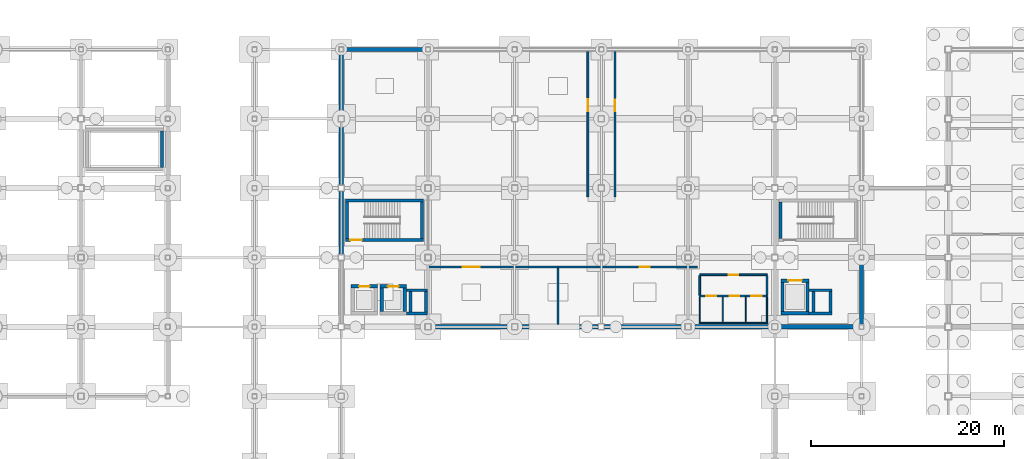
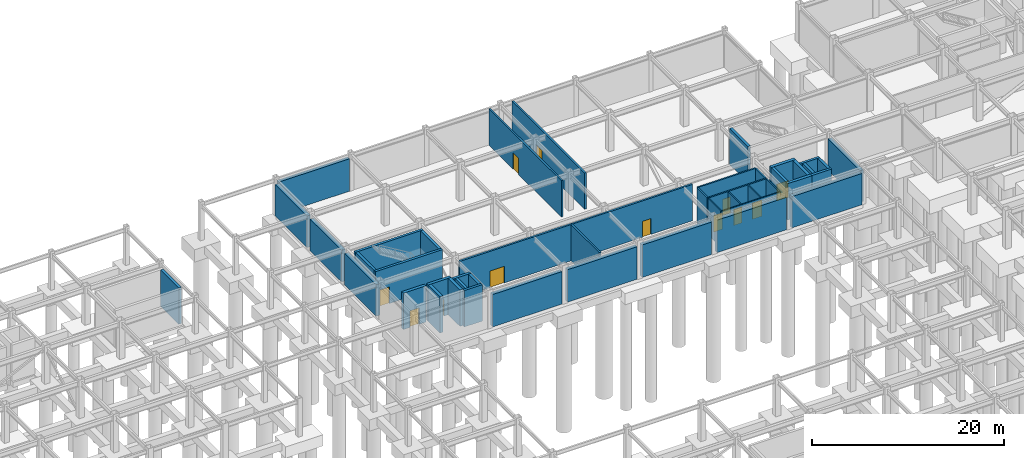
# One storey, part 22 of 28: 46 walls, 12 doors, 12 openings.
"""IFC4 building model written with IfcOpenShell, lengths in metres."""

import ifcopenshell
import ifcopenshell.guid

model = None  # the IFC model being written
_history = None  # IfcOwnerHistory: only IFC2X3 demands one
_inside = {}  # id of a spatial element -> (the spatial element, [elements in it])
_under = {}  # id of a project, library or spatial element -> (it, [spatial elements below it])
_declared = {}  # id of a project -> (the project, [libraries it declares])
_typed = {}  # id of a type object -> (the type object, [elements of that type])
_made_of = {}  # id of a material, layer set ... -> (it, [elements and type objects made of it])


def new_model(schema):
    """Start an empty IFC model of exactly this schema.

    Asked for "IFC4X3", IfcOpenShell would pick the latest addendum, in which some entities
    have other attributes; the version numbers below select the first issue.
    IFC2X3 requires an IfcOwnerHistory on every rooted entity: one is made here for all.
    """
    global model, _history
    if schema == "IFC4X3":
        model = ifcopenshell.file(schema_version=(4, 3, 0, 0))
    else:
        model = ifcopenshell.file(schema=schema)
    _inside.clear()
    _under.clear()
    _declared.clear()
    _typed.clear()
    _made_of.clear()
    _history = None
    if model.schema == "IFC2X3":
        org = make("IfcOrganization", Name="unknown")
        user = make(
            "IfcPersonAndOrganization",
            ThePerson=make("IfcPerson", FamilyName="unknown"),
            TheOrganization=org,
        )
        app = make(
            "IfcApplication",
            ApplicationDeveloper=org,
            Version="unknown",
            ApplicationFullName="unknown",
            ApplicationIdentifier="unknown",
        )
        _history = make(
            "IfcOwnerHistory",
            OwningUser=user,
            OwningApplication=app,
            ChangeAction="ADDED",
            CreationDate=0,
        )
    return model


def make(cls, **values):
    """One entity of the class cls with the attributes given. An attribute that is None is left unset."""
    return model.create_entity(
        cls, **{name: value for name, value in values.items() if value is not None}
    )


def rooted(cls, **values):
    """An entity with a GlobalId (a new one), such as an element, a storey or a relation."""
    return make(cls, GlobalId=ifcopenshell.guid.new(), OwnerHistory=_history, **values)


def si_unit(unit_type, name, prefix=None):
    """IfcSIUnit, for example si_unit("LENGTHUNIT", "METRE", prefix="MILLI")."""
    return make("IfcSIUnit", UnitType=unit_type, Prefix=prefix, Name=name)


def assignment(units):
    """IfcUnitAssignment: the units of a project."""
    return None if units is None else make("IfcUnitAssignment", Units=units)


def point(xyz):
    """IfcCartesianPoint."""
    return None if xyz is None else make("IfcCartesianPoint", Coordinates=xyz)


def direction(xyz):
    """IfcDirection."""
    return None if xyz is None else make("IfcDirection", DirectionRatios=xyz)


def frame(location, z_axis=None, x_axis=None):
    """IfcAxis2Placement3D, a coordinate frame: its origin and axes. An axis left out is left unset."""
    return make(
        "IfcAxis2Placement3D",
        Location=point(location),
        Axis=direction(z_axis),
        RefDirection=direction(x_axis),
    )


def frame_2d(location, x_axis=None):
    """IfcAxis2Placement2D, a coordinate frame in the plane: its origin and x axis."""
    return make(
        "IfcAxis2Placement2D", Location=point(location), RefDirection=direction(x_axis)
    )


def origin():
    """The frame at (0, 0, 0) with its axes left unset."""
    return frame((0.0, 0.0, 0.0))


def place(relative_to, where):
    """IfcLocalPlacement: puts the frame where relative to a parent placement (None: the world)."""
    return make(
        "IfcLocalPlacement", PlacementRelTo=relative_to, RelativePlacement=where
    )


def context(
    kind, dimensions, precision=None, world=None, true_north=None, identifier=None
):
    """IfcGeometricRepresentationContext, for example the 3D "Model" context."""
    return make(
        "IfcGeometricRepresentationContext",
        ContextIdentifier=identifier,
        ContextType=kind,
        CoordinateSpaceDimension=dimensions,
        Precision=precision,
        WorldCoordinateSystem=world,
        TrueNorth=true_north,
    )


def subcontext(parent, identifier, kind, view, scale=None):
    """IfcGeometricRepresentationSubContext, for example "Body" below "Model"."""
    return make(
        "IfcGeometricRepresentationSubContext",
        ContextIdentifier=identifier,
        ContextType=kind,
        ParentContext=parent,
        TargetScale=scale,
        TargetView=view,
    )


def project(units=None, contexts=None):
    """IfcProject with its units and contexts."""
    return rooted(
        "IfcProject",
        Name="project",
        RepresentationContexts=contexts,
        UnitsInContext=assignment(units),
    )


def spatial(cls, under=None, at=None, **own):
    """A site, building, storey or space (cls), placed at a placement, below another one or the project."""
    s = rooted(cls, ObjectPlacement=at, **own)
    if under is not None:
        _under.setdefault(under.id(), (under, []))[1].append(s)
    return s


def profile(cls, at=None, kind="AREA", **sizes):
    """A parametric profile (cls). Its sizes go by their IFC names, for example OverallWidth=200.0."""
    return make(cls, ProfileType=kind, Position=at, **sizes)


def rectangle(**sizes):
    """IfcRectangleProfileDef."""
    return profile("IfcRectangleProfileDef", **sizes)


def extrude(swept, where, along, depth):
    """IfcExtrudedAreaSolid: the profile swept, set in the frame where, extruded along a direction by depth."""
    return make(
        "IfcExtrudedAreaSolid",
        SweptArea=swept,
        Position=where,
        ExtrudedDirection=direction(along),
        Depth=depth,
    )


def shape(context_of_items, identifier, shape_type, items):
    """IfcShapeRepresentation: the items that make up one representation, for example the "Body"."""
    return make(
        "IfcShapeRepresentation",
        ContextOfItems=context_of_items,
        RepresentationIdentifier=identifier,
        RepresentationType=shape_type,
        Items=items,
    )


def material(Name=None, Category=None):
    """IfcMaterial."""
    return make("IfcMaterial", Name=Name, Category=Category)


def layer(
    of_material, thickness, ventilated=None, Name=None, Category=None, Priority=None
):
    """IfcMaterialLayer: one layer of a wall or slab, of a material (None: an air gap)."""
    return make(
        "IfcMaterialLayer",
        Material=of_material,
        LayerThickness=thickness,
        IsVentilated=ventilated,
        Name=Name,
        Category=Category,
        Priority=Priority,
    )


def layer_set(layers, Name=None):
    """IfcMaterialLayerSet."""
    return make("IfcMaterialLayerSet", MaterialLayers=layers, LayerSetName=Name)


def made_of(thing, what):
    """Note that an element or type object is made of a material, layer set ...; save() writes the relation."""
    if what is not None:
        _made_of.setdefault(what.id(), (what, []))[1].append(thing)
    return thing


def type_object(cls, material=None, **own):
    """A type object (cls), such as IfcWallType, which elements share."""
    return made_of(rooted(cls, **own), material)


def element(
    cls,
    number,
    at=None,
    inside=None,
    cuts=None,
    type_object=None,
    material=None,
    context=None,
    identifier="Body",
    shape_type=None,
    held_by="IfcProductDefinitionShape",
    body=None,
    shapes=None,
    **own,
):
    """One element of the class cls, such as IfcWall. Its Tag is "e" and its number.

    at: its placement. inside: the storey or other place that contains it. cuts: it is an
    opening in that element (IfcRelVoidsElement). A single representation is given by context,
    identifier, shape_type and body (its items); several are given by shapes. held_by: the class
    of the entity that holds the representations. save() writes the other relations.
    """
    e = rooted(cls, Tag="e%d" % number, ObjectPlacement=at, **own)
    if body is not None:
        shapes = [shape(context, identifier, shape_type, body)]
    if shapes is not None:
        e.Representation = make(held_by, Representations=shapes)
    if inside is not None:
        _inside.setdefault(inside.id(), (inside, []))[1].append(e)
    if cuts is not None:
        rooted(
            "IfcRelVoidsElement", RelatingBuildingElement=cuts, RelatedOpeningElement=e
        )
    if type_object is not None:
        _typed.setdefault(type_object.id(), (type_object, []))[1].append(e)
    return made_of(e, material)


def fill(opening, filler):
    """IfcRelFillsElement: the door or window that sits in an opening."""
    return rooted(
        "IfcRelFillsElement",
        RelatingOpeningElement=opening,
        RelatedBuildingElement=filler,
    )


def aggregate(whole, parts):
    """IfcRelAggregates: a whole, such as a stair, and the parts it consists of."""
    return rooted("IfcRelAggregates", RelatingObject=whole, RelatedObjects=parts)


def save(model, path):
    """Write the relations noted so far, then the file.

    IfcRelAggregates (storeys below a building ...), IfcRelContainedInSpatialStructure (elements
    in a storey), IfcRelDefinesByType, IfcRelAssociatesMaterial and IfcRelDeclares: one each for
    every whole, place, type object, material and project.
    """
    for whole, parts in _under.values():
        aggregate(whole, parts)
    for where, things in _inside.values():
        rooted(
            "IfcRelContainedInSpatialStructure",
            RelatedElements=things,
            RelatingStructure=where,
        )
    for kind, things in _typed.values():
        rooted("IfcRelDefinesByType", RelatedObjects=things, RelatingType=kind)
    for what, things in _made_of.values():
        rooted("IfcRelAssociatesMaterial", RelatedObjects=things, RelatingMaterial=what)
    for by, libraries in _declared.values():
        rooted("IfcRelDeclares", RelatingContext=by, RelatedDefinitions=libraries)
    model.write(path)


model = new_model("IFC4")

# Units and contexts
model_context = context("Model", 3, precision=1e-05, world=origin(), true_north=direction((0.0, 1.0)))
body_context = subcontext(model_context, "Body", "Model", "MODEL_VIEW")
ifc_project = project(units=[si_unit("LENGTHUNIT", "METRE"), si_unit("AREAUNIT", "SQUARE_METRE"), si_unit("VOLUMEUNIT", "CUBIC_METRE"), si_unit("PLANEANGLEUNIT", "RADIAN"), si_unit("MASSUNIT", "GRAM", prefix="KILO")], contexts=[model_context])

# Site, building, storey
site_placement = place(None, origin())
site = spatial("IfcSite", under=ifc_project, at=site_placement, CompositionType="ELEMENT")
building_placement = place(site_placement, origin())
building = spatial("IfcBuilding", under=site, at=building_placement, Name="Kazanami Central Library", CompositionType="ELEMENT")
storey_placement = place(building_placement, frame((0.0, 0.0, -4.89990234375)))
storey = spatial("IfcBuildingStorey", under=building, at=storey_placement, Name="B01", CompositionType="ELEMENT", Elevation=-4.89990234375)

# Wall, openings, doors
ifc_material_1 = material(Name="Fire-Resistant Gypsum Board GB-F", Category="gypsum")
ifc_layer_1 = layer(ifc_material_1, 0.179931640625, Name="Fire-Resistant Gypsum Board GB-F")
ifc_layer_set_1 = layer_set([ifc_layer_1], Name="Fire-Resistant Gypsum Board GB-F")
wall_type_1 = type_object("IfcWallType", Name="WAL-FW-180", PredefinedType="PARTITIONING", material=ifc_layer_set_1)
wall_1_placement = place(storey_placement, frame((91.199951171875, 68.0, 0.0), z_axis=(0.0, 0.0, 1.0), x_axis=(1.0, 0.0, 0.0)))
wall_1 = element("IfcWall", 1, at=wall_1_placement, inside=storey, type_object=wall_type_1, Name="Interior Partition FW-180 B01 WC-V1-LOB (South)", PredefinedType="PARTITIONING", context=body_context, shape_type="SweptSolid", body=[
    extrude(rectangle(XDim=7.0, YDim=0.179931640625, at=frame_2d((3.5, 0.0))), origin(), (0.0, 0.0, 1.0), 4.625),
])
opening_1_placement = place(wall_1_placement, frame((0.675048828125, 0.0, 0.0)))
opening_1 = element("IfcOpeningElement", 2, at=opening_1_placement, cuts=wall_1, Name="Opening FD30-1", PredefinedType="OPENING", context=body_context, shape_type="SweptSolid", body=[
    extrude(rectangle(XDim=1.050048828125, YDim=2.10009765625, at=frame_2d((0.52490234375, 1.050048828125))), frame((0.0, 0.10205078125, 0.0), z_axis=(0.0, -1.0, 0.0), x_axis=(1.0, 0.0, 0.0)), (0.0, 0.0, 1.0), 0.203857421875),
])
opening_2_placement = place(wall_1_placement, frame((3.110107421875, 0.0, 0.0)))
opening_2 = element("IfcOpeningElement", 3, at=opening_2_placement, cuts=wall_1, Name="Opening FD30-3", PredefinedType="OPENING", context=body_context, shape_type="SweptSolid", body=[
    extrude(rectangle(XDim=0.97998046875, YDim=2.02001953125, at=frame_2d((0.489990234375, 1.010009765625))), frame((0.0, 0.10205078125, 0.0), z_axis=(0.0, -1.0, 0.0), x_axis=(1.0, 0.0, 0.0)), (0.0, 0.0, 1.0), 0.203857421875),
])
opening_3_placement = place(wall_1_placement, frame((5.340087890625, 0.0, 0.0)))
opening_3 = element("IfcOpeningElement", 4, at=opening_3_placement, cuts=wall_1, Name="Opening FD30-8", PredefinedType="OPENING", context=body_context, shape_type="SweptSolid", body=[
    extrude(rectangle(XDim=1.1201171875, YDim=2.080078125, at=frame_2d((0.56005859375, 1.0400390625))), frame((0.0, 0.10205078125, 0.0), z_axis=(0.0, -1.0, 0.0), x_axis=(1.0, 0.0, 0.0)), (0.0, 0.0, 1.0), 0.203857421875),
])
ifc_material_2 = material(Name="Cold-Rolled Steel SPCC", Category="steel")
door_type_1 = type_object("IfcDoorType", Name="DOR-FD30-1", OperationType="NOTDEFINED", PredefinedType="DOOR", material=ifc_material_2)
door_1_placement = place(opening_1_placement, origin())
door_1 = element("IfcDoor", 5, at=door_1_placement, inside=storey, type_object=door_type_1, Name="Interior Door FD30-1 B01 WC-V1-M", OperationType="SINGLE_SWING_LEFT", OverallHeight=2.10009765625, OverallWidth=1.050048828125, PredefinedType="DOOR", context=body_context, shape_type="SweptSolid", body=[
    extrude(rectangle(XDim=1.050048828125, YDim=2.10009765625, at=frame_2d((0.52490234375, 1.050048828125))), frame((0.0, 0.02490234375, 0.0), z_axis=(0.0, -1.0, 0.0), x_axis=(1.0, 0.0, 0.0)), (0.0, 0.0, 1.0), 0.050048828125),
])
fill(opening_1, door_1)
door_type_2 = type_object("IfcDoorType", Name="DOR-FD30-3", OperationType="NOTDEFINED", PredefinedType="DOOR", material=ifc_material_2)
door_2_placement = place(opening_2_placement, origin())
door_2 = element("IfcDoor", 6, at=door_2_placement, inside=storey, type_object=door_type_2, Name="Interior Door FD30-3 B01 WC-V1-F", OperationType="SINGLE_SWING_RIGHT", OverallHeight=2.02001953125, OverallWidth=0.97998046875, PredefinedType="DOOR", context=body_context, shape_type="SweptSolid", body=[
    extrude(rectangle(XDim=0.97998046875, YDim=2.02001953125, at=frame_2d((0.489990234375, 1.010009765625))), frame((0.0, 0.02490234375, 0.0), z_axis=(0.0, -1.0, 0.0), x_axis=(1.0, 0.0, 0.0)), (0.0, 0.0, 1.0), 0.050048828125),
])
fill(opening_2, door_2)
door_type_3 = type_object("IfcDoorType", Name="DOR-FD30-8", OperationType="NOTDEFINED", PredefinedType="DOOR", material=ifc_material_2)
door_3_placement = place(opening_3_placement, origin())
door_3 = element("IfcDoor", 7, at=door_3_placement, inside=storey, type_object=door_type_3, Name="Interior Door FD30-8 B01 WC-V1-ACC", OperationType="SINGLE_SWING_LEFT", OverallHeight=2.080078125, OverallWidth=1.1201171875, PredefinedType="DOOR", context=body_context, shape_type="SweptSolid", body=[
    extrude(rectangle(XDim=1.1201171875, YDim=2.080078125, at=frame_2d((0.56005859375, 1.0400390625))), frame((0.0, 0.02490234375, 0.0), z_axis=(0.0, -1.0, 0.0), x_axis=(1.0, 0.0, 0.0)), (0.0, 0.0, 1.0), 0.050048828125),
])
fill(opening_3, door_3)

# Wall, opening, door
wall_2_placement = place(storey_placement, frame((91.199951171875, 70.199951171875, 0.0), z_axis=(0.0, 0.0, 1.0), x_axis=(1.0, 0.0, 0.0)))
wall_2 = element("IfcWall", 8, at=wall_2_placement, inside=storey, type_object=wall_type_1, Name="Interior Partition FW-180 B01 WC-V1-LOB (North)", PredefinedType="PARTITIONING", context=body_context, shape_type="SweptSolid", body=[
    extrude(rectangle(XDim=7.0, YDim=0.179931640625, at=frame_2d((3.5, 0.0))), origin(), (0.0, 0.0, 1.0), 4.625),
])
opening_4_placement = place(wall_2_placement, frame((3.010009765625, 0.0, 0.0)))
opening_4 = element("IfcOpeningElement", 9, at=opening_4_placement, cuts=wall_2, Name="Opening FD30-3", PredefinedType="OPENING", context=body_context, shape_type="SweptSolid", body=[
    extrude(rectangle(XDim=0.97998046875, YDim=2.02001953125, at=frame_2d((0.489990234375, 1.010009765625))), frame((0.0, 0.10205078125, 0.0), z_axis=(0.0, -1.0, 0.0), x_axis=(1.0, 0.0, 0.0)), (0.0, 0.0, 1.0), 0.203857421875),
])
door_4_placement = place(opening_4_placement, origin())
door_4 = element("IfcDoor", 10, at=door_4_placement, inside=storey, type_object=door_type_2, Name="Interior Door FD30-3 B01 WC-V1-LOB", OperationType="SINGLE_SWING_RIGHT", OverallHeight=2.02001953125, OverallWidth=0.97998046875, PredefinedType="DOOR", context=body_context, shape_type="SweptSolid", body=[
    extrude(rectangle(XDim=0.97998046875, YDim=2.02001953125, at=frame_2d((0.489990234375, 1.010009765625))), frame((0.0, 0.02490234375, 0.0), z_axis=(0.0, -1.0, 0.0), x_axis=(1.0, 0.0, 0.0)), (0.0, 0.0, 1.0), 0.050048828125),
])
fill(opening_4, door_4)

# Walls
for number, where, z_axis, x_axis, name in (
    (11, (91.199951171875, 68.090087890625, 0.0), (0.0, 0.0, 1.0), (0.0, 1.0, 0.0), "Interior Partition FW-180 B01 WC-V1-LOB (West)"),
    (12, (98.199951171875, 68.090087890625, 0.0), (0.0, 0.0, 1.0), (0.0, 1.0, 0.0), "Interior Partition FW-180 B01 WC-V1-LOB (East)"),
):
    element("IfcWall", number, at=place(storey_placement, frame(where, z_axis=z_axis, x_axis=x_axis)), inside=storey, type_object=wall_type_1, Name=name, PredefinedType="PARTITIONING", context=body_context, shape_type="SweptSolid", body=[
        extrude(rectangle(XDim=2.02001953125, YDim=0.179931640625, at=frame_2d((1.010009765625, 0.0))), origin(), (0.0, 0.0, 1.0), 4.625),
    ])

# Wall, opening, door
ifc_layer_2 = layer(ifc_material_1, 0.199951171875, Name="Fire-Resistant Gypsum Board GB-F")
ifc_layer_set_2 = layer_set([ifc_layer_2], Name="Fire-Resistant Gypsum Board GB-F")
wall_type_2 = type_object("IfcWallType", Name="WAL-FW-200", PredefinedType="PARTITIONING", material=ifc_layer_set_2)
wall_3_placement = place(storey_placement, frame((79.60009765625, 78.2900390625, 0.0), z_axis=(0.0, 0.0, 1.0), x_axis=(0.0, 1.0, 0.0)))
wall_3 = element("IfcWall", 13, at=wall_3_placement, inside=storey, type_object=wall_type_2, Name="Interior Partition FW-200 B01 RM-06 (East)", PredefinedType="PARTITIONING", context=body_context, shape_type="SweptSolid", body=[
    extrude(rectangle(XDim=15.080078125, YDim=0.199951171875, at=frame_2d((7.5400390625, 0.0))), origin(), (0.0, 0.0, 1.0), 4.625),
])
opening_5_placement = place(wall_3_placement, frame((8.909912109375, 0.0, 0.0)))
opening_5 = element("IfcOpeningElement", 14, at=opening_5_placement, cuts=wall_3, Name="Opening FD60-1", PredefinedType="OPENING", context=body_context, shape_type="SweptSolid", body=[
    extrude(rectangle(XDim=1.199951171875, YDim=2.10009765625, at=frame_2d((0.60009765625, 1.050048828125))), frame((0.0, 0.11181640625, 0.0), z_axis=(0.0, -1.0, 0.0), x_axis=(1.0, 0.0, 0.0)), (0.0, 0.0, 1.0), 0.223876953125),
])
door_type_4 = type_object("IfcDoorType", Name="DOR-FD60-1", OperationType="NOTDEFINED", PredefinedType="DOOR", material=ifc_material_2)
door_5_placement = place(opening_5_placement, origin())
door_5 = element("IfcDoor", 15, at=door_5_placement, inside=storey, type_object=door_type_4, Name="Interior Door FD60-1 B01 RM-06", OperationType="SINGLE_SWING_LEFT", OverallHeight=2.10009765625, OverallWidth=1.199951171875, PredefinedType="DOOR", context=body_context, shape_type="SweptSolid", body=[
    extrude(rectangle(XDim=1.199951171875, YDim=2.10009765625, at=frame_2d((0.60009765625, 1.050048828125))), frame((0.0, 0.02490234375, 0.0), z_axis=(0.0, -1.0, 0.0), x_axis=(1.0, 0.0, 0.0)), (0.0, 0.0, 1.0), 0.050048828125),
])
fill(opening_5, door_5)

ifc_layer_3 = layer(ifc_material_1, 0.219970703125, Name="Fire-Resistant Gypsum Board GB-F")
ifc_layer_set_3 = layer_set([ifc_layer_3], Name="Fire-Resistant Gypsum Board GB-F")
wall_type_3 = type_object("IfcWallType", Name="WAL-FW-220", PredefinedType="PARTITIONING", material=ifc_layer_set_3)
wall_4_placement = place(storey_placement, frame((63.0, 71.0, 0.0), z_axis=(0.0, 0.0, 1.0), x_axis=(1.0, 0.0, 0.0)))
wall_4 = element("IfcWall", 16, at=wall_4_placement, inside=storey, type_object=wall_type_3, Name="Interior Partition FW-220 B01 RM-04 (North)", PredefinedType="PARTITIONING", context=body_context, shape_type="SweptSolid", body=[
    extrude(rectangle(XDim=13.5, YDim=0.219970703125, at=frame_2d((6.75, 0.0))), origin(), (0.0, 0.0, 1.0), 4.625),
])
opening_6_placement = place(wall_4_placement, frame((3.625, 0.0, 0.0)))
opening_6 = element("IfcOpeningElement", 17, at=opening_6_placement, cuts=wall_4, Name="Opening FD60-5", PredefinedType="OPENING", context=body_context, shape_type="SweptSolid", body=[
    extrude(rectangle(XDim=1.75, YDim=2.1201171875, at=frame_2d((0.875, 1.06005859375))), frame((0.0, 0.1220703125, 0.0), z_axis=(0.0, -1.0, 0.0), x_axis=(1.0, 0.0, 0.0)), (0.0, 0.0, 1.0), 0.243896484375),
])
door_type_5 = type_object("IfcDoorType", Name="DOR-FD60-5", OperationType="DOUBLE_DOOR_SINGLE_SWING", PredefinedType="DOOR", material=ifc_material_2)
door_6_placement = place(opening_6_placement, origin())
door_6 = element("IfcDoor", 18, at=door_6_placement, inside=storey, type_object=door_type_5, Name="Interior Door FD60-5 B01 RM-04", OperationType="DOUBLE_DOOR_SINGLE_SWING", OverallHeight=2.1201171875, OverallWidth=1.75, PredefinedType="DOOR", context=body_context, shape_type="SweptSolid", body=[
    extrude(rectangle(XDim=1.75, YDim=2.1201171875, at=frame_2d((0.875, 1.06005859375))), frame((0.0, 0.02490234375, 0.0), z_axis=(0.0, -1.0, 0.0), x_axis=(1.0, 0.0, 0.0)), (0.0, 0.0, 1.0), 0.050048828125),
])
fill(opening_6, door_6)

# Wall
wall_5_placement = place(storey_placement, frame((76.5, 65.030029296875, 0.0), z_axis=(0.0, 0.0, 1.0), x_axis=(0.0, 1.0, 0.0)))
element("IfcWall", 19, at=wall_5_placement, inside=storey, type_object=wall_type_3, Name="Interior Partition FW-220 B01 RM-04 (East)", PredefinedType="PARTITIONING", context=body_context, shape_type="SweptSolid", body=[
    extrude(rectangle(XDim=5.8798828125, YDim=0.219970703125, at=frame_2d((2.93994140625, 0.0))), origin(), (0.0, 0.0, 1.0), 4.625),
])

# Wall, opening, door
wall_6_placement = place(storey_placement, frame((76.5, 71.0, 0.0), z_axis=(0.0, 0.0, 1.0), x_axis=(1.0, 0.0, 0.0)))
wall_6 = element("IfcWall", 20, at=wall_6_placement, inside=storey, type_object=wall_type_3, Name="Interior Partition FW-220 B01 RM-05 (North)", PredefinedType="PARTITIONING", context=body_context, shape_type="SweptSolid", body=[
    extrude(rectangle(XDim=14.5, YDim=0.219970703125, at=frame_2d((7.25, 0.0))), origin(), (0.0, 0.0, 1.0), 4.625),
])
opening_7_placement = place(wall_6_placement, frame((8.47509765625, 0.0, 0.0)))
opening_7 = element("IfcOpeningElement", 21, at=opening_7_placement, cuts=wall_6, Name="Opening FD60-8", PredefinedType="OPENING", context=body_context, shape_type="SweptSolid", body=[
    extrude(rectangle(XDim=1.050048828125, YDim=2.02001953125, at=frame_2d((0.52490234375, 1.010009765625))), frame((0.0, 0.1220703125, 0.0), z_axis=(0.0, -1.0, 0.0), x_axis=(1.0, 0.0, 0.0)), (0.0, 0.0, 1.0), 0.243896484375),
])
door_type_6 = type_object("IfcDoorType", Name="DOR-FD60-8", OperationType="NOTDEFINED", PredefinedType="DOOR", material=ifc_material_2)
door_7_placement = place(opening_7_placement, origin())
door_7 = element("IfcDoor", 22, at=door_7_placement, inside=storey, type_object=door_type_6, Name="Interior Door FD60-8 B01 RM-05", OperationType="SINGLE_SWING_RIGHT", OverallHeight=2.02001953125, OverallWidth=1.050048828125, PredefinedType="DOOR", context=body_context, shape_type="SweptSolid", body=[
    extrude(rectangle(XDim=1.050048828125, YDim=2.02001953125, at=frame_2d((0.52490234375, 1.010009765625))), frame((0.0, 0.02490234375, 0.0), z_axis=(0.0, -1.0, 0.0), x_axis=(1.0, 0.0, 0.0)), (0.0, 0.0, 1.0), 0.050048828125),
])
fill(opening_7, door_7)

wall_7_placement = place(storey_placement, frame((82.39990234375, 78.2900390625, 0.0), z_axis=(0.0, 0.0, 1.0), x_axis=(0.0, 1.0, 0.0)))
wall_7 = element("IfcWall", 23, at=wall_7_placement, inside=storey, type_object=wall_type_3, Name="Interior Partition FW-220 B01 RM-07 (West)", PredefinedType="PARTITIONING", context=body_context, shape_type="SweptSolid", body=[
    extrude(rectangle(XDim=15.080078125, YDim=0.219970703125, at=frame_2d((7.5400390625, 0.0))), origin(), (0.0, 0.0, 1.0), 4.625),
])
opening_8_placement = place(wall_7_placement, frame((8.909912109375, 0.0, 0.0)))
opening_8 = element("IfcOpeningElement", 24, at=opening_8_placement, cuts=wall_7, Name="Opening FD60-2", PredefinedType="OPENING", context=body_context, shape_type="SweptSolid", body=[
    extrude(rectangle(XDim=1.14990234375, YDim=2.10009765625, at=frame_2d((0.574951171875, 1.050048828125))), frame((0.0, 0.1220703125, 0.0), z_axis=(0.0, -1.0, 0.0), x_axis=(1.0, 0.0, 0.0)), (0.0, 0.0, 1.0), 0.243896484375),
])
door_type_7 = type_object("IfcDoorType", Name="DOR-FD60-2", OperationType="NOTDEFINED", PredefinedType="DOOR", material=ifc_material_2)
door_8_placement = place(opening_8_placement, origin())
door_8 = element("IfcDoor", 25, at=door_8_placement, inside=storey, type_object=door_type_7, Name="Interior Door FD60-2 B01 RM-07", OperationType="SINGLE_SWING_RIGHT", OverallHeight=2.10009765625, OverallWidth=1.14990234375, PredefinedType="DOOR", context=body_context, shape_type="SweptSolid", body=[
    extrude(rectangle(XDim=1.14990234375, YDim=2.10009765625, at=frame_2d((0.574951171875, 1.050048828125))), frame((0.0, 0.02490234375, 0.0), z_axis=(0.0, -1.0, 0.0), x_axis=(1.0, 0.0, 0.0)), (0.0, 0.0, 1.0), 0.050048828125),
])
fill(opening_8, door_8)

# Walls
ifc_material_3 = material(Name="Gypsum Plasterboard GB-R", Category="gypsum")
ifc_layer_4 = layer(ifc_material_3, 0.125, Name="Gypsum Plasterboard GB-R")
ifc_layer_set_4 = layer_set([ifc_layer_4], Name="Gypsum Plasterboard GB-R")
wall_type_4 = type_object("IfcWallType", Name="WAL-PW-125", PredefinedType="PARTITIONING", material=ifc_layer_set_4)
wall_8_placement = place(storey_placement, frame((91.137451171875, 65.1923828125, 0.0), z_axis=(0.0, 0.0, 1.0), x_axis=(1.0, 0.0, 0.0)))
element("IfcWall", 26, at=wall_8_placement, inside=storey, type_object=wall_type_4, Name="Interior Partition PW-125 B01 WC-V1 (South)", PredefinedType="PARTITIONING", context=body_context, shape_type="SweptSolid", body=[
    extrude(rectangle(XDim=7.125, YDim=0.125, at=frame_2d((3.5625, 0.0))), origin(), (0.0, 0.0, 1.0), 4.625),
])
for number, where, z_axis, x_axis, name in (
    (27, (91.199951171875, 65.2548828125, 0.0), (0.0, 0.0, 1.0), (0.0, 1.0, 0.0), "Interior Partition PW-125 B01 WC-V1-M (West)"),
    (28, (93.60009765625, 65.2548828125, 0.0), (0.0, 0.0, 1.0), (0.0, 1.0, 0.0), "Interior Partition PW-125 B01 WC-V1-M (East)"),
    (29, (96.0, 65.2548828125, 0.0), (0.0, 0.0, 1.0), (0.0, 1.0, 0.0), "Interior Partition PW-125 B01 WC-V1-F (East)"),
    (30, (98.199951171875, 65.2548828125, 0.0), (0.0, 0.0, 1.0), (0.0, 1.0, 0.0), "Interior Partition PW-125 B01 WC-V1-ACC (East)"),
):
    element("IfcWall", number, at=place(storey_placement, frame(where, z_axis=z_axis, x_axis=x_axis)), inside=storey, type_object=wall_type_4, Name=name, PredefinedType="PARTITIONING", context=body_context, shape_type="SweptSolid", body=[
        extrude(rectangle(XDim=2.655029296875, YDim=0.125, at=frame_2d((1.32763671875, 0.0))), origin(), (0.0, 0.0, 1.0), 4.625),
    ])
ifc_material_4 = material(Name="Concrete Fc36 (36 MPa)", Category="concrete")
ifc_layer_5 = layer(ifc_material_4, 0.39990234375, Name="Concrete Fc36 (36 MPa)")
ifc_layer_set_5 = layer_set([ifc_layer_5], Name="Concrete Fc36 (36 MPa)")
wall_type_5 = type_object("IfcWallType", Name="WAL-RW-400", PredefinedType="SOLIDWALL", material=ifc_layer_set_5)
wall_9_placement = place(storey_placement, frame((62.75, 93.60009765625, 0.0), z_axis=(0.0, 0.0, 1.0), x_axis=(-1.0, 0.0, 0.0)))
element("IfcWall", 31, at=wall_9_placement, inside=storey, type_object=wall_type_5, Name="Basement Retaining Wall RW-400 N-O-07", PredefinedType="SOLIDWALL", context=body_context, shape_type="SweptSolid", body=[
    extrude(rectangle(XDim=8.5, YDim=0.39990234375, at=frame_2d((4.25, 0.0))), origin(), (0.0, 0.0, 1.0), 4.125),
])
wall_10_placement = place(storey_placement, frame((108.0, 71.75, 0.0), z_axis=(0.0, 0.0, 1.0), x_axis=(0.0, -1.0, 0.0)))
element("IfcWall", 32, at=wall_10_placement, inside=storey, type_object=wall_type_5, Name="Basement Retaining Wall RW-400 E-13-10", PredefinedType="SOLIDWALL", context=body_context, shape_type="SweptSolid", body=[
    extrude(rectangle(XDim=6.699951171875, YDim=0.39990234375, at=frame_2d((3.35009765625, 0.0))), origin(), (0.0, 0.0, 1.0), 4.02490234375),
])
ifc_layer_6 = layer(ifc_material_4, 0.449951171875, Name="Concrete Fc36 (36 MPa)")
ifc_layer_set_6 = layer_set([ifc_layer_6], Name="Concrete Fc36 (36 MPa)")
wall_type_6 = type_object("IfcWallType", Name="WAL-RW-450", PredefinedType="SOLIDWALL", material=ifc_layer_set_6)
for number, where, z_axis, x_axis, name in (
    (33, (63.324951171875, 64.800048828125, 0.0), (0.0, 0.0, 1.0), (1.0, 0.0, 0.0), "Basement Retaining Wall RW-450 S-K-08"),
    (34, (72.324951171875, 64.800048828125, 0.0), (0.0, 0.0, 1.0), (1.0, 0.0, 0.0), "Basement Retaining Wall RW-450 S-K-09"),
    (35, (81.324951171875, 64.800048828125, 0.0), (0.0, 0.0, 1.0), (1.0, 0.0, 0.0), "Basement Retaining Wall RW-450 S-K-10"),
    (36, (90.324951171875, 64.800048828125, 0.0), (0.0, 0.0, 1.0), (1.0, 0.0, 0.0), "Basement Retaining Wall RW-450 S-K-11"),
):
    element("IfcWall", number, at=place(storey_placement, frame(where, z_axis=z_axis, x_axis=x_axis)), inside=storey, type_object=wall_type_6, Name=name, PredefinedType="SOLIDWALL", context=body_context, shape_type="SweptSolid", body=[
        extrude(rectangle(XDim=8.35009765625, YDim=0.449951171875, at=frame_2d((4.175048828125, 0.0))), origin(), (0.0, 0.0, 1.0), 4.125),
    ])
wall_11_placement = place(storey_placement, frame((99.324951171875, 64.800048828125, 0.0), z_axis=(0.0, 0.0, 1.0), x_axis=(1.0, 0.0, 0.0)))
element("IfcWall", 37, at=wall_11_placement, inside=storey, type_object=wall_type_6, Name="Basement Retaining Wall RW-450 S-K-12", PredefinedType="SOLIDWALL", context=body_context, shape_type="SweptSolid", body=[
    extrude(rectangle(XDim=8.425048828125, YDim=0.449951171875, at=frame_2d((4.21240234375, 0.0))), origin(), (0.0, 0.0, 1.0), 3.974853515625),
])
for number, where, z_axis, x_axis, name in (
    (38, (54.0, 72.324951171875, 0.0), (0.0, 0.0, 1.0), (0.0, 1.0, 0.0), "Basement Retaining Wall RW-450 W-7-11"),
    (39, (54.0, 79.52490234375, 0.0), (0.0, 0.0, 1.0), (0.0, 1.0, 0.0), "Basement Retaining Wall RW-450 W-7-12"),
):
    element("IfcWall", number, at=place(storey_placement, frame(where, z_axis=z_axis, x_axis=x_axis)), inside=storey, type_object=wall_type_6, Name=name, PredefinedType="SOLIDWALL", context=body_context, shape_type="SweptSolid", body=[
        extrude(rectangle(XDim=6.550048828125, YDim=0.449951171875, at=frame_2d((3.27490234375, 0.0))), origin(), (0.0, 0.0, 1.0), 4.02490234375),
    ])
wall_12_placement = place(storey_placement, frame((54.0, 86.72509765625, 0.0), z_axis=(0.0, 0.0, 1.0), x_axis=(0.0, 1.0, 0.0)))
element("IfcWall", 40, at=wall_12_placement, inside=storey, type_object=wall_type_6, Name="Basement Retaining Wall RW-450 W-7-13", PredefinedType="SOLIDWALL", context=body_context, shape_type="SweptSolid", body=[
    extrude(rectangle(XDim=6.625, YDim=0.449951171875, at=frame_2d((3.3125, 0.0))), origin(), (0.0, 0.0, 1.0), 4.02490234375),
])

# Wall, opening, door
ifc_layer_7 = layer(ifc_material_4, 0.300048828125, Name="Concrete Fc36 (36 MPa)")
ifc_layer_set_7 = layer_set([ifc_layer_7], Name="Concrete Fc36 (36 MPa)")
wall_type_7 = type_object("IfcWallType", Name="WAL-SW-300", PredefinedType="SHEAR", material=ifc_layer_set_7)
wall_13_placement = place(storey_placement, frame((54.449951171875, 73.800048828125, 0.0), z_axis=(0.0, 0.0, 1.0), x_axis=(1.0, 0.0, 0.0)))
wall_13 = element("IfcWall", 41, at=wall_13_placement, inside=storey, type_object=wall_type_7, Name="Stair Core Wall ST-03 South B01", PredefinedType="SHEAR", context=body_context, shape_type="SweptSolid", body=[
    extrude(rectangle(XDim=8.10009765625, YDim=0.300048828125, at=frame_2d((4.050048828125, 0.0))), origin(), (0.0, 0.0, 1.0), 4.625),
])
opening_9_placement = place(wall_13_placement, frame((0.5, 0.0, 0.0)))
opening_9 = element("IfcOpeningElement", 42, at=opening_9_placement, cuts=wall_13, Name="Opening FD60-1", PredefinedType="OPENING", context=body_context, shape_type="SweptSolid", body=[
    extrude(rectangle(XDim=1.199951171875, YDim=2.10009765625, at=frame_2d((0.60009765625, 1.050048828125))), frame((0.0, 0.162109375, 0.0), z_axis=(0.0, -1.0, 0.0), x_axis=(1.0, 0.0, 0.0)), (0.0, 0.0, 1.0), 0.323974609375),
])
door_9_placement = place(opening_9_placement, origin())
door_9 = element("IfcDoor", 43, at=door_9_placement, inside=storey, type_object=door_type_4, Name="Escape Stair ST-03 Fire Door B01", OperationType="SINGLE_SWING_LEFT", OverallHeight=2.10009765625, OverallWidth=1.199951171875, PredefinedType="DOOR", context=body_context, shape_type="SweptSolid", body=[
    extrude(rectangle(XDim=1.199951171875, YDim=2.10009765625, at=frame_2d((0.60009765625, 1.050048828125))), frame((0.0, 0.02490234375, 0.0), z_axis=(0.0, -1.0, 0.0), x_axis=(1.0, 0.0, 0.0)), (0.0, 0.0, 1.0), 0.050048828125),
])
fill(opening_9, door_9)

# Walls
wall_14_placement = place(storey_placement, frame((54.449951171875, 77.89990234375, 0.0), z_axis=(0.0, 0.0, 1.0), x_axis=(1.0, 0.0, 0.0)))
element("IfcWall", 44, at=wall_14_placement, inside=storey, type_object=wall_type_7, Name="Stair Core Wall ST-03 North B01", PredefinedType="SHEAR", context=body_context, shape_type="SweptSolid", body=[
    extrude(rectangle(XDim=8.10009765625, YDim=0.300048828125, at=frame_2d((4.050048828125, 0.0))), origin(), (0.0, 0.0, 1.0), 4.625),
])
for number, where, z_axis, x_axis, name in (
    (45, (54.60009765625, 73.949951171875, 0.0), (0.0, 0.0, 1.0), (0.0, 1.0, 0.0), "Stair Core Wall ST-03 West B01"),
    (46, (62.39990234375, 73.949951171875, 0.0), (0.0, 0.0, 1.0), (0.0, 1.0, 0.0), "Stair Core Wall ST-03 East B01"),
    (47, (99.60009765625, 73.949951171875, 0.0), (0.0, 0.0, 1.0), (0.0, 1.0, 0.0), "Stair Core Wall ST-04 West B01"),
):
    element("IfcWall", number, at=place(storey_placement, frame(where, z_axis=z_axis, x_axis=x_axis)), inside=storey, type_object=wall_type_7, Name=name, PredefinedType="SHEAR", context=body_context, shape_type="SweptSolid", body=[
        extrude(rectangle(XDim=3.800048828125, YDim=0.300048828125, at=frame_2d((1.89990234375, 0.0))), origin(), (0.0, 0.0, 1.0), 4.625),
    ])
wall_15_placement = place(storey_placement, frame((35.39990234375, 81.35009765625, 0.0), z_axis=(0.0, 0.0, 1.0), x_axis=(0.0, 1.0, 0.0)))
element("IfcWall", 48, at=wall_15_placement, inside=storey, type_object=wall_type_7, Name="Stair Sub-Grade Foundation Core Wall ST-06 E", PredefinedType="SHEAR", context=body_context, shape_type="SweptSolid", body=[
    extrude(rectangle(XDim=3.7998046875, YDim=0.300048828125, at=frame_2d((1.89990234375, 0.0))), origin(), (0.0, 0.0, 1.0), 4.625),
])
for number, where, z_axis, x_axis, name in (
    (49, (60.77490234375, 66.199951171875, 0.0), (0.0, 0.0, 1.0), (1.0, 0.0, 0.0), "Service Riser Wall RSR-V1-A S B01"),
    (50, (60.77490234375, 68.60009765625, 0.0), (0.0, 0.0, 1.0), (1.0, 0.0, 0.0), "Service Riser Wall RSR-V1-A N B01"),
):
    element("IfcWall", number, at=place(storey_placement, frame(where, z_axis=z_axis, x_axis=x_axis)), inside=storey, type_object=wall_type_7, Name=name, PredefinedType="SHEAR", context=body_context, shape_type="SweptSolid", body=[
        extrude(rectangle(XDim=2.175048828125, YDim=0.300048828125, at=frame_2d((1.08740234375, 0.0))), origin(), (0.0, 0.0, 1.0), 4.625),
    ])
for number, where, z_axis, x_axis, name in (
    (51, (61.199951171875, 66.35009765625, 0.0), (0.0, 0.0, 1.0), (0.0, 1.0, 0.0), "Service Riser Wall RSR-V1-A W B01"),
    (52, (62.800048828125, 66.35009765625, 0.0), (0.0, 0.0, 1.0), (0.0, 1.0, 0.0), "Service Riser Wall RSR-V1-A E B01"),
):
    element("IfcWall", number, at=place(storey_placement, frame(where, z_axis=z_axis, x_axis=x_axis)), inside=storey, type_object=wall_type_7, Name=name, PredefinedType="SHEAR", context=body_context, shape_type="SweptSolid", body=[
        extrude(rectangle(XDim=2.099853515625, YDim=0.300048828125, at=frame_2d((1.0498046875, 0.0))), origin(), (0.0, 0.0, 1.0), 4.625),
    ])
for number, where, z_axis, x_axis, name in (
    (53, (102.574951171875, 66.199951171875, 0.0), (0.0, 0.0, 1.0), (1.0, 0.0, 0.0), "Service Riser Wall RSR-V1-B S B01"),
    (54, (102.574951171875, 68.60009765625, 0.0), (0.0, 0.0, 1.0), (1.0, 0.0, 0.0), "Service Riser Wall RSR-V1-B N B01"),
):
    element("IfcWall", number, at=place(storey_placement, frame(where, z_axis=z_axis, x_axis=x_axis)), inside=storey, type_object=wall_type_7, Name=name, PredefinedType="SHEAR", context=body_context, shape_type="SweptSolid", body=[
        extrude(rectangle(XDim=2.375, YDim=0.300048828125, at=frame_2d((1.1875, 0.0))), origin(), (0.0, 0.0, 1.0), 4.625),
    ])
for number, where, z_axis, x_axis, name in (
    (55, (103.0, 66.35009765625, 0.0), (0.0, 0.0, 1.0), (0.0, 1.0, 0.0), "Service Riser Wall RSR-V1-B W B01"),
    (56, (104.800048828125, 66.35009765625, 0.0), (0.0, 0.0, 1.0), (0.0, 1.0, 0.0), "Service Riser Wall RSR-V1-B E B01"),
):
    element("IfcWall", number, at=place(storey_placement, frame(where, z_axis=z_axis, x_axis=x_axis)), inside=storey, type_object=wall_type_7, Name=name, PredefinedType="SHEAR", context=body_context, shape_type="SweptSolid", body=[
        extrude(rectangle(XDim=2.099853515625, YDim=0.300048828125, at=frame_2d((1.0498046875, 0.0))), origin(), (0.0, 0.0, 1.0), 4.625),
    ])

# Wall, opening, door
ifc_layer_8 = layer(ifc_material_4, 0.35009765625, Name="Concrete Fc36 (36 MPa)")
ifc_layer_set_8 = layer_set([ifc_layer_8], Name="Concrete Fc36 (36 MPa)")
wall_type_8 = type_object("IfcWallType", Name="WAL-SW-350", PredefinedType="SHEAR", material=ifc_layer_set_8)
wall_16_placement = place(storey_placement, frame((55.02490234375, 69.0, 0.0), z_axis=(0.0, 0.0, 1.0), x_axis=(1.0, 0.0, 0.0)))
wall_16 = element("IfcWall", 57, at=wall_16_placement, inside=storey, type_object=wall_type_8, Name="Lift Shaft Wall EL-P2 North B01", PredefinedType="SHEAR", context=body_context, shape_type="SweptSolid", body=[
    extrude(rectangle(XDim=2.75, YDim=0.35009765625, at=frame_2d((1.375, 0.0))), origin(), (0.0, 0.0, 1.0), 4.625),
])
opening_10_placement = place(wall_16_placement, frame((0.824951171875, 0.0, 0.0)))
opening_10 = element("IfcOpeningElement", 58, at=opening_10_placement, cuts=wall_16, Name="Opening LD-01", PredefinedType="OPENING", context=body_context, shape_type="SweptSolid", body=[
    extrude(rectangle(XDim=1.10009765625, YDim=2.10009765625, at=frame_2d((0.550048828125, 1.050048828125))), frame((0.0, 0.18701171875, 0.0), z_axis=(0.0, -1.0, 0.0), x_axis=(1.0, 0.0, 0.0)), (0.0, 0.0, 1.0), 0.3740234375),
])
ifc_material_5 = material(Name="Stainless Steel SUS304", Category="steel")
door_type_8 = type_object("IfcDoorType", Name="DOR-LD-01", OperationType="SLIDING_TO_LEFT", PredefinedType="DOOR", material=ifc_material_5)
door_10_placement = place(opening_10_placement, origin())
door_10 = element("IfcDoor", 59, at=door_10_placement, inside=storey, type_object=door_type_8, Name="Lift Landing Sliding Door EL-P2 (B01)", OperationType="SLIDING_TO_RIGHT", OverallHeight=2.10009765625, OverallWidth=1.10009765625, PredefinedType="DOOR", context=body_context, shape_type="SweptSolid", body=[
    extrude(rectangle(XDim=1.10009765625, YDim=2.10009765625, at=frame_2d((0.550048828125, 1.050048828125))), frame((0.0, 0.02490234375, 0.0), z_axis=(0.0, -1.0, 0.0), x_axis=(1.0, 0.0, 0.0)), (0.0, 0.0, 1.0), 0.050048828125),
])
fill(opening_10, door_10)

wall_17_placement = place(storey_placement, frame((58.02490234375, 69.0, 0.0), z_axis=(0.0, 0.0, 1.0), x_axis=(1.0, 0.0, 0.0)))
wall_17 = element("IfcWall", 60, at=wall_17_placement, inside=storey, type_object=wall_type_8, Name="Lift Shaft Wall EL-P3 North B01", PredefinedType="SHEAR", context=body_context, shape_type="SweptSolid", body=[
    extrude(rectangle(XDim=2.75, YDim=0.35009765625, at=frame_2d((1.375, 0.0))), origin(), (0.0, 0.0, 1.0), 4.625),
])
opening_11_placement = place(wall_17_placement, frame((0.824951171875, 0.0, 0.0)))
opening_11 = element("IfcOpeningElement", 61, at=opening_11_placement, cuts=wall_17, Name="Opening LD-01", PredefinedType="OPENING", context=body_context, shape_type="SweptSolid", body=[
    extrude(rectangle(XDim=1.10009765625, YDim=2.10009765625, at=frame_2d((0.550048828125, 1.050048828125))), frame((0.0, 0.18701171875, 0.0), z_axis=(0.0, -1.0, 0.0), x_axis=(1.0, 0.0, 0.0)), (0.0, 0.0, 1.0), 0.3740234375),
])
door_11_placement = place(opening_11_placement, origin())
door_11 = element("IfcDoor", 62, at=door_11_placement, inside=storey, type_object=door_type_8, Name="Lift Landing Sliding Door EL-P3 (B01)", OperationType="SLIDING_TO_RIGHT", OverallHeight=2.10009765625, OverallWidth=1.10009765625, PredefinedType="DOOR", context=body_context, shape_type="SweptSolid", body=[
    extrude(rectangle(XDim=1.10009765625, YDim=2.10009765625, at=frame_2d((0.550048828125, 1.050048828125))), frame((0.0, 0.02490234375, 0.0), z_axis=(0.0, -1.0, 0.0), x_axis=(1.0, 0.0, 0.0)), (0.0, 0.0, 1.0), 0.050048828125),
])
fill(opening_11, door_11)

# Walls
for number, where, z_axis, x_axis, name in (
    (63, (58.199951171875, 66.375, 0.0), (0.0, 0.0, 1.0), (0.0, 1.0, 0.0), "Lift Shaft Wall EL-P3 West B01"),
    (64, (60.60009765625, 66.375, 0.0), (0.0, 0.0, 1.0), (0.0, 1.0, 0.0), "Lift Shaft Wall EL-P3 East B01"),
):
    element("IfcWall", number, at=place(storey_placement, frame(where, z_axis=z_axis, x_axis=x_axis)), inside=storey, type_object=wall_type_8, Name=name, PredefinedType="SHEAR", context=body_context, shape_type="SweptSolid", body=[
        extrude(rectangle(XDim=2.449951171875, YDim=0.35009765625, at=frame_2d((1.22509765625, 0.0))), origin(), (0.0, 0.0, 1.0), 4.625),
    ])
wall_18_placement = place(storey_placement, frame((99.625, 66.199951171875, 0.0), z_axis=(0.0, 0.0, 1.0), x_axis=(1.0, 0.0, 0.0)))
element("IfcWall", 65, at=wall_18_placement, inside=storey, type_object=wall_type_8, Name="Lift Shaft Wall EL-S2 South B01", PredefinedType="SHEAR", context=body_context, shape_type="SweptSolid", body=[
    extrude(rectangle(XDim=2.949951171875, YDim=0.35009765625, at=frame_2d((1.47509765625, 0.0))), origin(), (0.0, 0.0, 1.0), 4.625),
])

# Wall, opening, door
wall_19_placement = place(storey_placement, frame((99.625, 69.60009765625, 0.0), z_axis=(0.0, 0.0, 1.0), x_axis=(1.0, 0.0, 0.0)))
wall_19 = element("IfcWall", 66, at=wall_19_placement, inside=storey, type_object=wall_type_8, Name="Lift Shaft Wall EL-S2 North B01", PredefinedType="SHEAR", context=body_context, shape_type="SweptSolid", body=[
    extrude(rectangle(XDim=2.949951171875, YDim=0.35009765625, at=frame_2d((1.47509765625, 0.0))), origin(), (0.0, 0.0, 1.0), 4.625),
])
opening_12_placement = place(wall_19_placement, frame((0.77490234375, 0.0, 0.0)))
opening_12 = element("IfcOpeningElement", 67, at=opening_12_placement, cuts=wall_19, Name="Opening LD-03", PredefinedType="OPENING", context=body_context, shape_type="SweptSolid", body=[
    extrude(rectangle(XDim=1.39990234375, YDim=2.14990234375, at=frame_2d((0.699951171875, 1.074951171875))), frame((0.0, 0.18701171875, 0.0), z_axis=(0.0, -1.0, 0.0), x_axis=(1.0, 0.0, 0.0)), (0.0, 0.0, 1.0), 0.3740234375),
])
door_type_9 = type_object("IfcDoorType", Name="DOR-LD-03", OperationType="SLIDING_TO_LEFT", PredefinedType="DOOR", material=ifc_material_5)
door_12_placement = place(opening_12_placement, origin())
door_12 = element("IfcDoor", 68, at=door_12_placement, inside=storey, type_object=door_type_9, Name="Lift Landing Sliding Door EL-S2 (B01)", OperationType="SLIDING_TO_RIGHT", OverallHeight=2.14990234375, OverallWidth=1.39990234375, PredefinedType="DOOR", context=body_context, shape_type="SweptSolid", body=[
    extrude(rectangle(XDim=1.39990234375, YDim=2.14990234375, at=frame_2d((0.699951171875, 1.074951171875))), frame((0.0, 0.02490234375, 0.0), z_axis=(0.0, -1.0, 0.0), x_axis=(1.0, 0.0, 0.0)), (0.0, 0.0, 1.0), 0.050048828125),
])
fill(opening_12, door_12)

# Walls
for number, where, z_axis, x_axis, name in (
    (69, (99.800048828125, 66.375, 0.0), (0.0, 0.0, 1.0), (0.0, 1.0, 0.0), "Lift Shaft Wall EL-S2 West B01"),
    (70, (102.39990234375, 66.375, 0.0), (0.0, 0.0, 1.0), (0.0, 1.0, 0.0), "Lift Shaft Wall EL-S2 East B01"),
):
    element("IfcWall", number, at=place(storey_placement, frame(where, z_axis=z_axis, x_axis=x_axis)), inside=storey, type_object=wall_type_8, Name=name, PredefinedType="SHEAR", context=body_context, shape_type="SweptSolid", body=[
        extrude(rectangle(XDim=3.050048828125, YDim=0.35009765625, at=frame_2d((1.52490234375, 0.0))), origin(), (0.0, 0.0, 1.0), 4.625),
    ])

save(model, "model.ifc")
